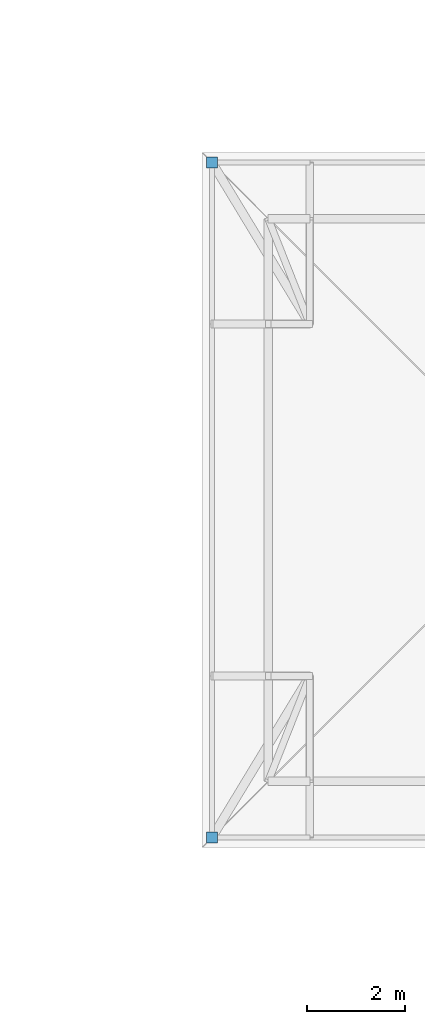
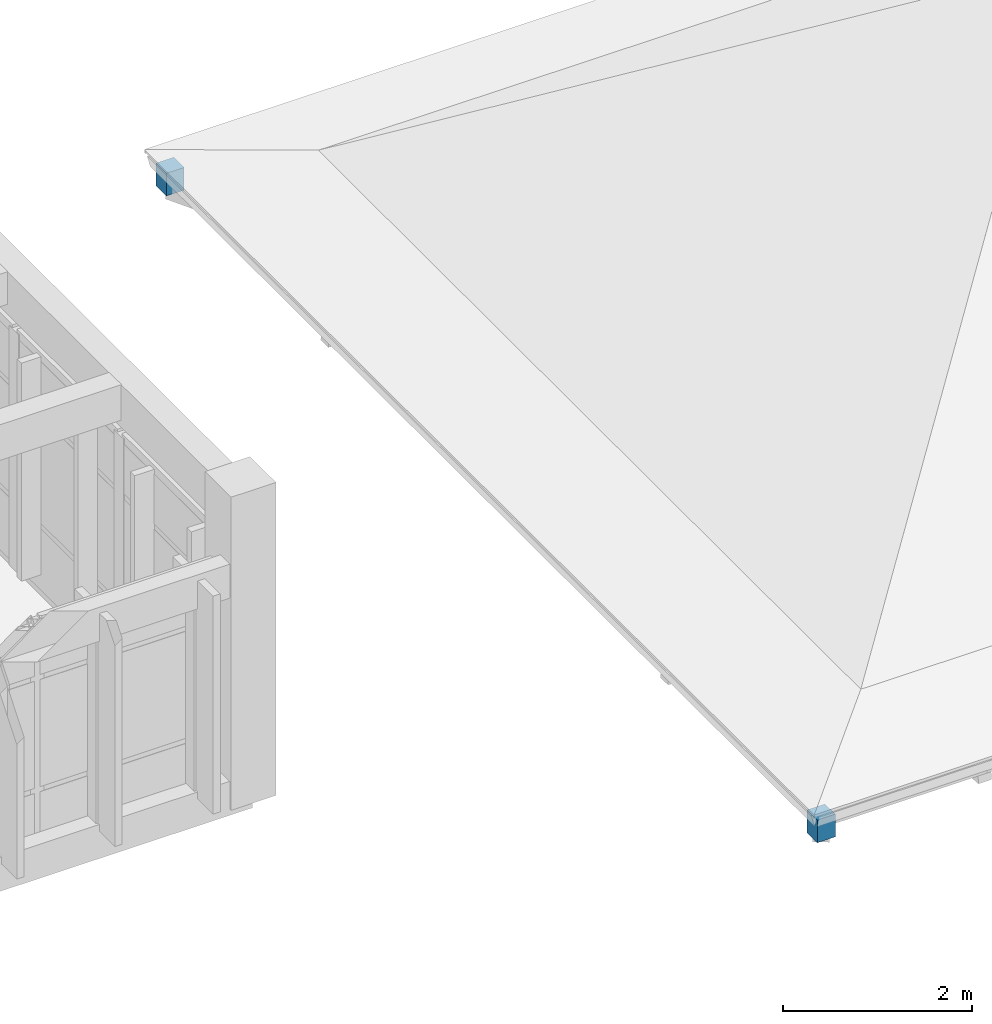
# One storey, part 45 of 51: 2 discrete accessories.
"""IFC4 building model written with IfcOpenShell, lengths in metres."""

import ifcopenshell
import ifcopenshell.guid

model = None  # the IFC model being written
_history = None  # IfcOwnerHistory: only IFC2X3 demands one
_inside = {}  # id of a spatial element -> (the spatial element, [elements in it])
_under = {}  # id of a project, library or spatial element -> (it, [spatial elements below it])
_declared = {}  # id of a project -> (the project, [libraries it declares])
_typed = {}  # id of a type object -> (the type object, [elements of that type])
_made_of = {}  # id of a material, layer set ... -> (it, [elements and type objects made of it])


def new_model(schema):
    """Start an empty IFC model of exactly this schema.

    Asked for "IFC4X3", IfcOpenShell would pick the latest addendum, in which some entities
    have other attributes; the version numbers below select the first issue.
    IFC2X3 requires an IfcOwnerHistory on every rooted entity: one is made here for all.
    """
    global model, _history
    if schema == "IFC4X3":
        model = ifcopenshell.file(schema_version=(4, 3, 0, 0))
    else:
        model = ifcopenshell.file(schema=schema)
    _inside.clear()
    _under.clear()
    _declared.clear()
    _typed.clear()
    _made_of.clear()
    _history = None
    if model.schema == "IFC2X3":
        org = make("IfcOrganization", Name="unknown")
        user = make(
            "IfcPersonAndOrganization",
            ThePerson=make("IfcPerson", FamilyName="unknown"),
            TheOrganization=org,
        )
        app = make(
            "IfcApplication",
            ApplicationDeveloper=org,
            Version="unknown",
            ApplicationFullName="unknown",
            ApplicationIdentifier="unknown",
        )
        _history = make(
            "IfcOwnerHistory",
            OwningUser=user,
            OwningApplication=app,
            ChangeAction="ADDED",
            CreationDate=0,
        )
    return model


def make(cls, **values):
    """One entity of the class cls with the attributes given. An attribute that is None is left unset."""
    return model.create_entity(
        cls, **{name: value for name, value in values.items() if value is not None}
    )


def rooted(cls, **values):
    """An entity with a GlobalId (a new one), such as an element, a storey or a relation."""
    return make(cls, GlobalId=ifcopenshell.guid.new(), OwnerHistory=_history, **values)


def si_unit(unit_type, name, prefix=None):
    """IfcSIUnit, for example si_unit("LENGTHUNIT", "METRE", prefix="MILLI")."""
    return make("IfcSIUnit", UnitType=unit_type, Prefix=prefix, Name=name)


def assignment(units):
    """IfcUnitAssignment: the units of a project."""
    return None if units is None else make("IfcUnitAssignment", Units=units)


def point(xyz):
    """IfcCartesianPoint."""
    return None if xyz is None else make("IfcCartesianPoint", Coordinates=xyz)


def direction(xyz):
    """IfcDirection."""
    return None if xyz is None else make("IfcDirection", DirectionRatios=xyz)


def frame(location, z_axis=None, x_axis=None):
    """IfcAxis2Placement3D, a coordinate frame: its origin and axes. An axis left out is left unset."""
    return make(
        "IfcAxis2Placement3D",
        Location=point(location),
        Axis=direction(z_axis),
        RefDirection=direction(x_axis),
    )


def frame_2d(location, x_axis=None):
    """IfcAxis2Placement2D, a coordinate frame in the plane: its origin and x axis."""
    return make(
        "IfcAxis2Placement2D", Location=point(location), RefDirection=direction(x_axis)
    )


def origin():
    """The frame at (0, 0, 0) with its axes left unset."""
    return frame((0.0, 0.0, 0.0))


def origin_2d():
    """The frame at (0, 0) in the plane with its x axis left unset."""
    return frame_2d((0.0, 0.0))


def place(relative_to, where):
    """IfcLocalPlacement: puts the frame where relative to a parent placement (None: the world)."""
    return make(
        "IfcLocalPlacement", PlacementRelTo=relative_to, RelativePlacement=where
    )


def context(
    kind, dimensions, precision=None, world=None, true_north=None, identifier=None
):
    """IfcGeometricRepresentationContext, for example the 3D "Model" context."""
    return make(
        "IfcGeometricRepresentationContext",
        ContextIdentifier=identifier,
        ContextType=kind,
        CoordinateSpaceDimension=dimensions,
        Precision=precision,
        WorldCoordinateSystem=world,
        TrueNorth=true_north,
    )


def subcontext(parent, identifier, kind, view, scale=None):
    """IfcGeometricRepresentationSubContext, for example "Body" below "Model"."""
    return make(
        "IfcGeometricRepresentationSubContext",
        ContextIdentifier=identifier,
        ContextType=kind,
        ParentContext=parent,
        TargetScale=scale,
        TargetView=view,
    )


def project(units=None, contexts=None):
    """IfcProject with its units and contexts."""
    return rooted(
        "IfcProject",
        Name="project",
        RepresentationContexts=contexts,
        UnitsInContext=assignment(units),
    )


def spatial(cls, under=None, at=None, **own):
    """A site, building, storey or space (cls), placed at a placement, below another one or the project."""
    s = rooted(cls, ObjectPlacement=at, **own)
    if under is not None:
        _under.setdefault(under.id(), (under, []))[1].append(s)
    return s


def profile(cls, at=None, kind="AREA", **sizes):
    """A parametric profile (cls). Its sizes go by their IFC names, for example OverallWidth=200.0."""
    return make(cls, ProfileType=kind, Position=at, **sizes)


def rectangle(**sizes):
    """IfcRectangleProfileDef."""
    return profile("IfcRectangleProfileDef", **sizes)


def extrude(swept, where, along, depth):
    """IfcExtrudedAreaSolid: the profile swept, set in the frame where, extruded along a direction by depth."""
    return make(
        "IfcExtrudedAreaSolid",
        SweptArea=swept,
        Position=where,
        ExtrudedDirection=direction(along),
        Depth=depth,
    )


def shape(context_of_items, identifier, shape_type, items):
    """IfcShapeRepresentation: the items that make up one representation, for example the "Body"."""
    return make(
        "IfcShapeRepresentation",
        ContextOfItems=context_of_items,
        RepresentationIdentifier=identifier,
        RepresentationType=shape_type,
        Items=items,
    )


def material(Name=None, Category=None):
    """IfcMaterial."""
    return make("IfcMaterial", Name=Name, Category=Category)


def made_of(thing, what):
    """Note that an element or type object is made of a material, layer set ...; save() writes the relation."""
    if what is not None:
        _made_of.setdefault(what.id(), (what, []))[1].append(thing)
    return thing


def type_object(cls, material=None, **own):
    """A type object (cls), such as IfcWallType, which elements share."""
    return made_of(rooted(cls, **own), material)


def element(
    cls,
    number,
    at=None,
    inside=None,
    cuts=None,
    type_object=None,
    material=None,
    context=None,
    identifier="Body",
    shape_type=None,
    held_by="IfcProductDefinitionShape",
    body=None,
    shapes=None,
    **own,
):
    """One element of the class cls, such as IfcWall. Its Tag is "e" and its number.

    at: its placement. inside: the storey or other place that contains it. cuts: it is an
    opening in that element (IfcRelVoidsElement). A single representation is given by context,
    identifier, shape_type and body (its items); several are given by shapes. held_by: the class
    of the entity that holds the representations. save() writes the other relations.
    """
    e = rooted(cls, Tag="e%d" % number, ObjectPlacement=at, **own)
    if body is not None:
        shapes = [shape(context, identifier, shape_type, body)]
    if shapes is not None:
        e.Representation = make(held_by, Representations=shapes)
    if inside is not None:
        _inside.setdefault(inside.id(), (inside, []))[1].append(e)
    if cuts is not None:
        rooted(
            "IfcRelVoidsElement", RelatingBuildingElement=cuts, RelatedOpeningElement=e
        )
    if type_object is not None:
        _typed.setdefault(type_object.id(), (type_object, []))[1].append(e)
    return made_of(e, material)


def aggregate(whole, parts):
    """IfcRelAggregates: a whole, such as a stair, and the parts it consists of."""
    return rooted("IfcRelAggregates", RelatingObject=whole, RelatedObjects=parts)


def save(model, path):
    """Write the relations noted so far, then the file.

    IfcRelAggregates (storeys below a building ...), IfcRelContainedInSpatialStructure (elements
    in a storey), IfcRelDefinesByType, IfcRelAssociatesMaterial and IfcRelDeclares: one each for
    every whole, place, type object, material and project.
    """
    for whole, parts in _under.values():
        aggregate(whole, parts)
    for where, things in _inside.values():
        rooted(
            "IfcRelContainedInSpatialStructure",
            RelatedElements=things,
            RelatingStructure=where,
        )
    for kind, things in _typed.values():
        rooted("IfcRelDefinesByType", RelatedObjects=things, RelatingType=kind)
    for what, things in _made_of.values():
        rooted("IfcRelAssociatesMaterial", RelatedObjects=things, RelatingMaterial=what)
    for by, libraries in _declared.values():
        rooted("IfcRelDeclares", RelatingContext=by, RelatedDefinitions=libraries)
    model.write(path)


model = new_model("IFC4")

# Units and contexts
model_context = context("Model", 3, precision=1e-05, world=origin(), true_north=direction((0.0, 1.0)))
body_context = subcontext(model_context, "Body", "Model", "MODEL_VIEW")
ifc_project = project(units=[si_unit("LENGTHUNIT", "METRE"), si_unit("AREAUNIT", "SQUARE_METRE"), si_unit("VOLUMEUNIT", "CUBIC_METRE"), si_unit("PLANEANGLEUNIT", "RADIAN"), si_unit("MASSUNIT", "GRAM", prefix="KILO")], contexts=[model_context])

# Site, building, storey
site_placement = place(None, origin())
site = spatial("IfcSite", under=ifc_project, at=site_placement, CompositionType="ELEMENT")
building_placement = place(site_placement, origin())
building = spatial("IfcBuilding", under=site, at=building_placement, Name="Steenspoor Specialist Clinic", CompositionType="ELEMENT")
storey_placement = place(building_placement, frame((0.0, 0.0, 17.39990234375)))
storey = spatial("IfcBuildingStorey", under=building, at=storey_placement, Name="L04", CompositionType="ELEMENT", Elevation=17.39990234375)

# Discrete accessories
ifc_material = material(Name="Galvanised steel mounting bracket", Category="steel")
discrete_accessory_type = type_object("IfcDiscreteAccessoryType", Name="ACC-BRACKET-FIN", PredefinedType="BRACKET", material=ifc_material)
for number, where, z_axis, x_axis, name in (
    (1, (100.800048828125, 69.050048828125, -0.39794921875), (0.0, 0.0, 1.0), (1.0, 0.0, 0.0), "Eave Corner Hip Bracket 173"),
    (2, (100.800048828125, 82.85009765625, -0.39794921875), (0.0, 0.0, 1.0), (1.0, 0.0, 0.0), "Eave Corner Hip Bracket 175"),
):
    element("IfcDiscreteAccessory", number, at=place(storey_placement, frame(where, z_axis=z_axis, x_axis=x_axis)), inside=storey, type_object=discrete_accessory_type, Name=name, PredefinedType="BRACKET", context=body_context, shape_type="SweptSolid", body=[
        extrude(rectangle(XDim=0.219970703125, YDim=0.219970703125, at=origin_2d()), origin(), (0.0, 0.0, 1.0), 0.293212890625),
    ])

save(model, "model.ifc")
